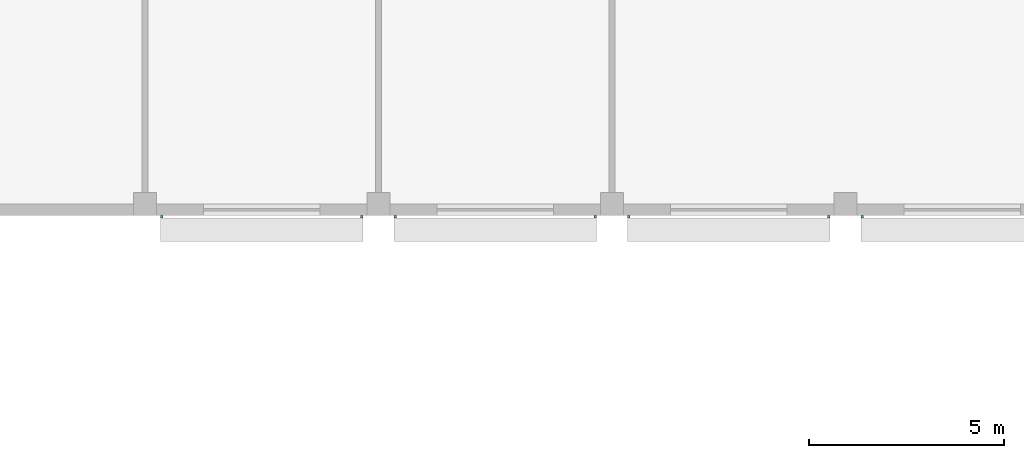
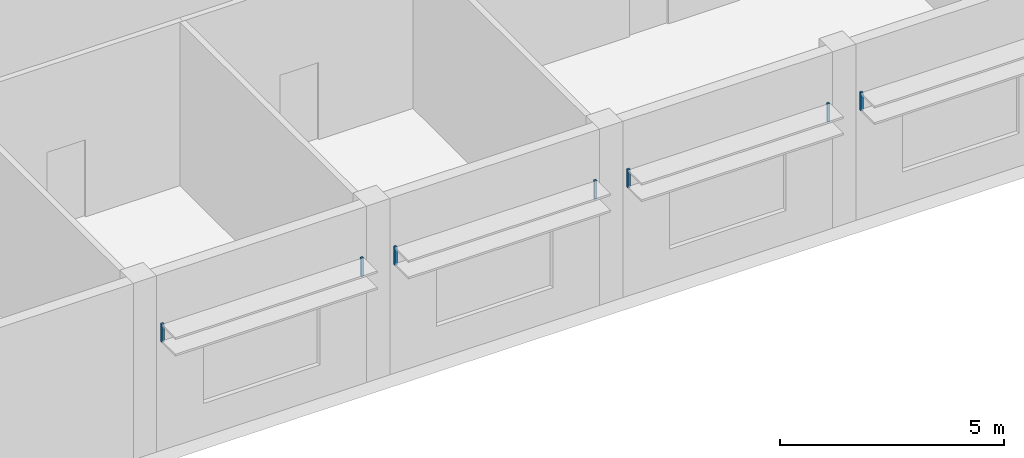
# One storey, part 30 of 45: 7 discrete accessories.
"""IFC4 building model written with IfcOpenShell, lengths in metres."""

from ifc_helpers import new_model, si_unit, direction, frame, origin, origin_2d, place, context, subcontext, project, spatial, rectangle, extrude, material, type_object, element, save


model = new_model("IFC4")

# Units and contexts
model_context = context("Model", 3, precision=1e-05, world=origin(), true_north=direction((0.0, 1.0)))
body_context = subcontext(model_context, "Body", "Model", "MODEL_VIEW")
ifc_project = project(units=[si_unit("LENGTHUNIT", "METRE"), si_unit("AREAUNIT", "SQUARE_METRE"), si_unit("VOLUMEUNIT", "CUBIC_METRE"), si_unit("PLANEANGLEUNIT", "RADIAN"), si_unit("MASSUNIT", "GRAM", prefix="KILO")], contexts=[model_context])

# Site, building, storey
site_placement = place(None, origin())
site = spatial("IfcSite", under=ifc_project, at=site_placement, CompositionType="ELEMENT")
building_placement = place(site_placement, origin())
building = spatial("IfcBuilding", under=site, at=building_placement, Name="Nakaniwa Court", CompositionType="ELEMENT")
storey_placement = place(building_placement, frame((0.0, 0.0, 6.60009765625)))
storey = spatial("IfcBuildingStorey", under=building, at=storey_placement, Name="L01", CompositionType="ELEMENT", Elevation=6.60009765625)

# Discrete accessories
ifc_material = material(Name="Black powder-coated steel bracket S275", Category="steel")
discrete_accessory_type = type_object("IfcDiscreteAccessoryType", Name="Hall black metal louvre bracket", PredefinedType="BRACKET", material=ifc_material)
for number, where, z_axis, x_axis, name in (
    (1, (200.429931640625, 55.969970703125, 2.974853515625), (0.0, 0.0, 1.0), (-1.0, 0.0, 0.0), "Louvre bracket L01 033.2"),
    (2, (199.570068359375, 55.969970703125, 2.974853515625), (0.0, 0.0, 1.0), (-1.0, 0.0, 0.0), "Louvre bracket L01 034.1"),
    (3, (194.429931640625, 55.969970703125, 2.974853515625), (0.0, 0.0, 1.0), (-1.0, 0.0, 0.0), "Louvre bracket L01 034.2"),
    (4, (193.570068359375, 55.969970703125, 2.974853515625), (0.0, 0.0, 1.0), (-1.0, 0.0, 0.0), "Louvre bracket L01 035.1"),
    (5, (188.429931640625, 55.969970703125, 2.974853515625), (0.0, 0.0, 1.0), (-1.0, 0.0, 0.0), "Louvre bracket L01 035.2"),
    (6, (187.570068359375, 55.969970703125, 2.974853515625), (0.0, 0.0, 1.0), (-1.0, 0.0, 0.0), "Louvre bracket L01 036.1"),
    (7, (182.429931640625, 55.969970703125, 2.974853515625), (0.0, 0.0, 1.0), (-1.0, 0.0, 0.0), "Louvre bracket L01 036.2"),
):
    element("IfcDiscreteAccessory", number, at=place(storey_placement, frame(where, z_axis=z_axis, x_axis=x_axis)), inside=storey, type_object=discrete_accessory_type, Name=name, PredefinedType="BRACKET", context=body_context, shape_type="SweptSolid", body=[
        extrude(rectangle(XDim=0.06005859375, YDim=0.06005859375, at=origin_2d()), origin(), (0.0, 0.0, 1.0), 0.5),
    ])

save(model, "model.ifc")
